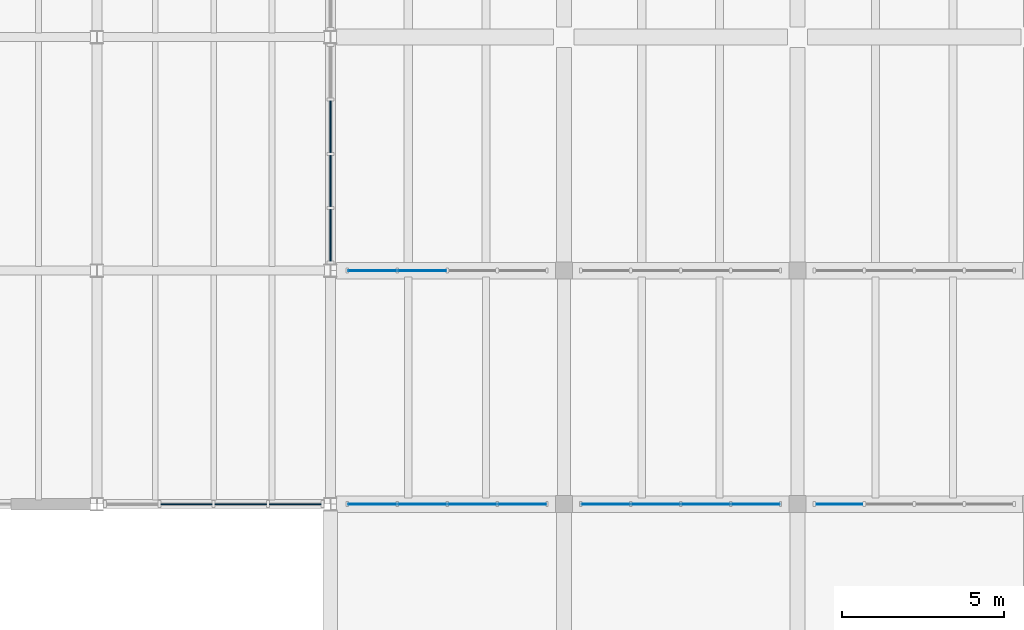
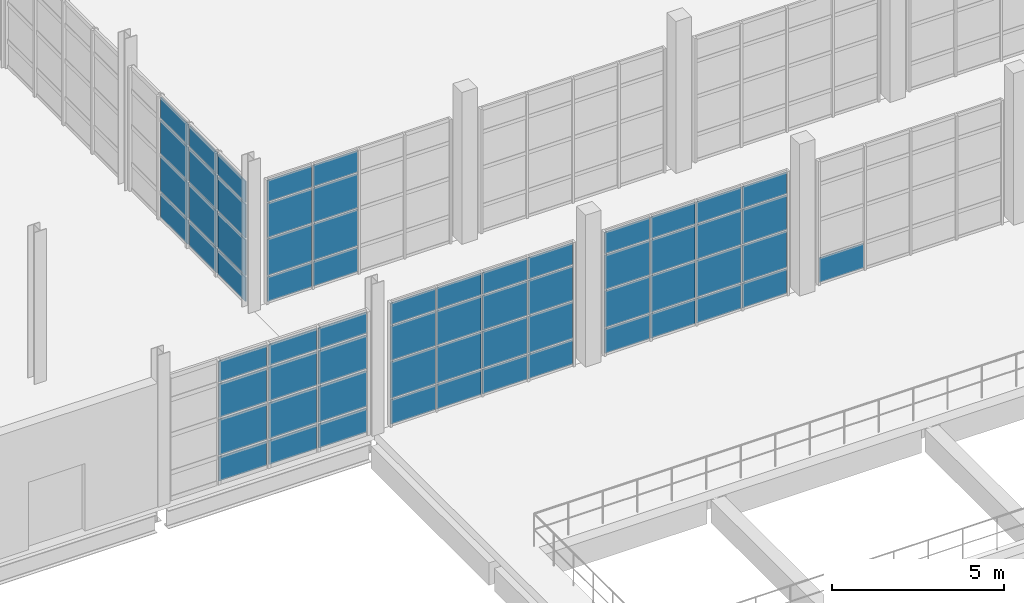
# One storey, part 52 of 79: 65 plates, 6 elements without a shape of their own.
"""IFC4 building model written with IfcOpenShell, lengths in metres."""

from ifc_helpers import new_model, si_unit, direction, frame, frame_2d, origin, place, context, subcontext, project, spatial, rectangle, extrude, material, layer, layer_set, type_object, element, aggregate, save


model = new_model("IFC4")

# Units and contexts
model_context = context("Model", 3, precision=1e-05, world=origin(), true_north=direction((0.0, 1.0)))
body_context = subcontext(model_context, "Body", "Model", "MODEL_VIEW")
ifc_project = project(units=[si_unit("LENGTHUNIT", "METRE"), si_unit("AREAUNIT", "SQUARE_METRE"), si_unit("VOLUMEUNIT", "CUBIC_METRE"), si_unit("PLANEANGLEUNIT", "RADIAN"), si_unit("MASSUNIT", "GRAM", prefix="KILO")], contexts=[model_context])

# Site, building, storey
site_placement = place(None, origin())
site = spatial("IfcSite", under=ifc_project, at=site_placement, CompositionType="ELEMENT")
building_placement = place(site_placement, origin())
building = spatial("IfcBuilding", under=site, at=building_placement, Name="Qiaolan Assembly House", CompositionType="ELEMENT")
storey_placement = place(building_placement, origin())
storey = spatial("IfcBuildingStorey", under=building, at=storey_placement, Name="L00", CompositionType="ELEMENT", Elevation=0.0)

# Curtain wall, plates
ifc_material_1 = material(Name="Anodised bronze aluminium", Category="aluminium")
curtain_wall_type_1 = type_object("IfcCurtainWallType", Name="CW-CLOISTER-420", PredefinedType="NOTDEFINED", material=ifc_material_1)
curtain_wall_1_placement = place(storey_placement, origin())
curtain_wall_1 = element("IfcCurtainWall", 1, at=curtain_wall_1_placement, inside=storey, type_object=curtain_wall_type_1, Name="CW-05 South Cloister outer arcade L00-1", PredefinedType="NOTDEFINED")
ifc_material_2 = material(Name="Low-E double insulating glass", Category="glass")
ifc_layer_1 = layer(ifc_material_2, 0.02587890625)
ifc_layer_set_1 = layer_set([ifc_layer_1], Name="Low-E double insulating glass")
plate_type_1 = type_object("IfcPlateType", Name="CW-CLOISTER-420-PNL", PredefinedType="CURTAIN_PANEL", material=ifc_layer_set_1)
plate_1_placement = place(storey_placement, frame((108.547119140625, 36.0, 0.052978515625), z_axis=(0.0, 0.0, 1.0), x_axis=(1.0, 0.0, 0.0)))
plate_1 = element("IfcPlate", 2, at=plate_1_placement, type_object=plate_type_1, Name="GL-06 glazing panel CW-CLS-OUT-L00-0-1", PredefinedType="CURTAIN_PANEL", context=body_context, shape_type="SweptSolid", body=[
    extrude(rectangle(XDim=1.48583984375, YDim=0.02587890625, at=frame_2d((0.742919921875, 0.0))), origin(), (0.0, 0.0, 1.0), 0.8740234375),
])
plate_2_placement = place(storey_placement, frame((108.547119140625, 36.0, 0.972900390625), z_axis=(0.0, 0.0, 1.0), x_axis=(1.0, 0.0, 0.0)))
plate_2 = element("IfcPlate", 3, at=plate_2_placement, type_object=plate_type_1, Name="GL-06 glazing panel CW-CLS-OUT-L00-0-2", PredefinedType="CURTAIN_PANEL", context=body_context, shape_type="SweptSolid", body=[
    extrude(rectangle(XDim=1.48583984375, YDim=0.02587890625, at=frame_2d((0.742919921875, 0.0))), origin(), (0.0, 0.0, 1.0), 1.302490234375),
])
plate_3_placement = place(storey_placement, frame((108.547119140625, 36.0, 2.3212890625), z_axis=(0.0, 0.0, 1.0), x_axis=(1.0, 0.0, 0.0)))
plate_3 = element("IfcPlate", 4, at=plate_3_placement, type_object=plate_type_1, Name="GL-06 glazing panel CW-CLS-OUT-L00-0-3", PredefinedType="CURTAIN_PANEL", context=body_context, shape_type="SweptSolid", body=[
    extrude(rectangle(XDim=1.48583984375, YDim=0.02587890625, at=frame_2d((0.742919921875, 0.0))), origin(), (0.0, 0.0, 1.0), 1.225830078125),
])
plate_4_placement = place(storey_placement, frame((108.547119140625, 36.0, 3.593017578125), z_axis=(0.0, 0.0, 1.0), x_axis=(1.0, 0.0, 0.0)))
plate_4 = element("IfcPlate", 5, at=plate_4_placement, type_object=plate_type_1, Name="GL-06 glazing panel CW-CLS-OUT-L00-0-4", PredefinedType="CURTAIN_PANEL", context=body_context, shape_type="SweptSolid", body=[
    extrude(rectangle(XDim=1.48583984375, YDim=0.02587890625, at=frame_2d((0.742919921875, 0.0))), origin(), (0.0, 0.0, 1.0), 0.77392578125),
])
plate_5_placement = place(storey_placement, frame((110.0869140625, 36.0, 0.052978515625), z_axis=(0.0, 0.0, 1.0), x_axis=(1.0, 0.0, 0.0)))
plate_5 = element("IfcPlate", 6, at=plate_5_placement, type_object=plate_type_1, Name="GL-06 glazing panel CW-CLS-OUT-L00-0-5", PredefinedType="CURTAIN_PANEL", context=body_context, shape_type="SweptSolid", body=[
    extrude(rectangle(XDim=1.486083984375, YDim=0.02587890625, at=frame_2d((0.7431640625, 0.0))), origin(), (0.0, 0.0, 1.0), 0.8740234375),
])
plate_6_placement = place(storey_placement, frame((110.0869140625, 36.0, 0.972900390625), z_axis=(0.0, 0.0, 1.0), x_axis=(1.0, 0.0, 0.0)))
plate_6 = element("IfcPlate", 7, at=plate_6_placement, type_object=plate_type_1, Name="GL-06 glazing panel CW-CLS-OUT-L00-0-6", PredefinedType="CURTAIN_PANEL", context=body_context, shape_type="SweptSolid", body=[
    extrude(rectangle(XDim=1.486083984375, YDim=0.02587890625, at=frame_2d((0.7431640625, 0.0))), origin(), (0.0, 0.0, 1.0), 1.302490234375),
])
plate_7_placement = place(storey_placement, frame((110.0869140625, 36.0, 2.3212890625), z_axis=(0.0, 0.0, 1.0), x_axis=(1.0, 0.0, 0.0)))
plate_7 = element("IfcPlate", 8, at=plate_7_placement, type_object=plate_type_1, Name="GL-06 glazing panel CW-CLS-OUT-L00-0-7", PredefinedType="CURTAIN_PANEL", context=body_context, shape_type="SweptSolid", body=[
    extrude(rectangle(XDim=1.486083984375, YDim=0.02587890625, at=frame_2d((0.7431640625, 0.0))), origin(), (0.0, 0.0, 1.0), 1.225830078125),
])
plate_8_placement = place(storey_placement, frame((110.0869140625, 36.0, 3.593017578125), z_axis=(0.0, 0.0, 1.0), x_axis=(1.0, 0.0, 0.0)))
plate_8 = element("IfcPlate", 9, at=plate_8_placement, type_object=plate_type_1, Name="GL-06 glazing panel CW-CLS-OUT-L00-0-8", PredefinedType="CURTAIN_PANEL", context=body_context, shape_type="SweptSolid", body=[
    extrude(rectangle(XDim=1.486083984375, YDim=0.02587890625, at=frame_2d((0.7431640625, 0.0))), origin(), (0.0, 0.0, 1.0), 0.77392578125),
])
plate_9_placement = place(storey_placement, frame((111.626953125, 36.0, 0.052978515625), z_axis=(0.0, 0.0, 1.0), x_axis=(1.0, 0.0, 0.0)))
plate_9 = element("IfcPlate", 10, at=plate_9_placement, type_object=plate_type_1, Name="GL-06 glazing panel CW-CLS-OUT-L00-0-9", PredefinedType="CURTAIN_PANEL", context=body_context, shape_type="SweptSolid", body=[
    extrude(rectangle(XDim=1.486083984375, YDim=0.02587890625, at=frame_2d((0.7431640625, 0.0))), origin(), (0.0, 0.0, 1.0), 0.8740234375),
])
plate_10_placement = place(storey_placement, frame((111.626953125, 36.0, 0.972900390625), z_axis=(0.0, 0.0, 1.0), x_axis=(1.0, 0.0, 0.0)))
plate_10 = element("IfcPlate", 11, at=plate_10_placement, type_object=plate_type_1, Name="GL-06 glazing panel CW-CLS-OUT-L00-0-10", PredefinedType="CURTAIN_PANEL", context=body_context, shape_type="SweptSolid", body=[
    extrude(rectangle(XDim=1.486083984375, YDim=0.02587890625, at=frame_2d((0.7431640625, 0.0))), origin(), (0.0, 0.0, 1.0), 1.302490234375),
])
plate_11_placement = place(storey_placement, frame((111.626953125, 36.0, 2.3212890625), z_axis=(0.0, 0.0, 1.0), x_axis=(1.0, 0.0, 0.0)))
plate_11 = element("IfcPlate", 12, at=plate_11_placement, type_object=plate_type_1, Name="GL-06 glazing panel CW-CLS-OUT-L00-0-11", PredefinedType="CURTAIN_PANEL", context=body_context, shape_type="SweptSolid", body=[
    extrude(rectangle(XDim=1.486083984375, YDim=0.02587890625, at=frame_2d((0.7431640625, 0.0))), origin(), (0.0, 0.0, 1.0), 1.225830078125),
])
plate_12_placement = place(storey_placement, frame((111.626953125, 36.0, 3.593017578125), z_axis=(0.0, 0.0, 1.0), x_axis=(1.0, 0.0, 0.0)))
plate_12 = element("IfcPlate", 13, at=plate_12_placement, type_object=plate_type_1, Name="GL-06 glazing panel CW-CLS-OUT-L00-0-12", PredefinedType="CURTAIN_PANEL", context=body_context, shape_type="SweptSolid", body=[
    extrude(rectangle(XDim=1.486083984375, YDim=0.02587890625, at=frame_2d((0.7431640625, 0.0))), origin(), (0.0, 0.0, 1.0), 0.77392578125),
])
plate_13_placement = place(storey_placement, frame((113.1669921875, 36.0, 0.052978515625), z_axis=(0.0, 0.0, 1.0), x_axis=(1.0, 0.0, 0.0)))
plate_13 = element("IfcPlate", 14, at=plate_13_placement, type_object=plate_type_1, Name="GL-06 glazing panel CW-CLS-OUT-L00-0-13", PredefinedType="CURTAIN_PANEL", context=body_context, shape_type="SweptSolid", body=[
    extrude(rectangle(XDim=1.486083984375, YDim=0.02587890625, at=frame_2d((0.7431640625, 0.0))), origin(), (0.0, 0.0, 1.0), 0.8740234375),
])
plate_14_placement = place(storey_placement, frame((113.1669921875, 36.0, 0.972900390625), z_axis=(0.0, 0.0, 1.0), x_axis=(1.0, 0.0, 0.0)))
plate_14 = element("IfcPlate", 15, at=plate_14_placement, type_object=plate_type_1, Name="GL-06 glazing panel CW-CLS-OUT-L00-0-14", PredefinedType="CURTAIN_PANEL", context=body_context, shape_type="SweptSolid", body=[
    extrude(rectangle(XDim=1.486083984375, YDim=0.02587890625, at=frame_2d((0.7431640625, 0.0))), origin(), (0.0, 0.0, 1.0), 1.302490234375),
])
plate_15_placement = place(storey_placement, frame((113.1669921875, 36.0, 2.3212890625), z_axis=(0.0, 0.0, 1.0), x_axis=(1.0, 0.0, 0.0)))
plate_15 = element("IfcPlate", 16, at=plate_15_placement, type_object=plate_type_1, Name="GL-06 glazing panel CW-CLS-OUT-L00-0-15", PredefinedType="CURTAIN_PANEL", context=body_context, shape_type="SweptSolid", body=[
    extrude(rectangle(XDim=1.486083984375, YDim=0.02587890625, at=frame_2d((0.7431640625, 0.0))), origin(), (0.0, 0.0, 1.0), 1.225830078125),
])
plate_16_placement = place(storey_placement, frame((113.1669921875, 36.0, 3.593017578125), z_axis=(0.0, 0.0, 1.0), x_axis=(1.0, 0.0, 0.0)))
plate_16 = element("IfcPlate", 17, at=plate_16_placement, type_object=plate_type_1, Name="GL-06 glazing panel CW-CLS-OUT-L00-0-16", PredefinedType="CURTAIN_PANEL", context=body_context, shape_type="SweptSolid", body=[
    extrude(rectangle(XDim=1.486083984375, YDim=0.02587890625, at=frame_2d((0.7431640625, 0.0))), origin(), (0.0, 0.0, 1.0), 0.77392578125),
])
aggregate(curtain_wall_1, [plate_1, plate_2, plate_3, plate_4, plate_5, plate_6, plate_7, plate_8, plate_9, plate_10, plate_11, plate_12, plate_13, plate_14, plate_15, plate_16])

curtain_wall_2_placement = place(storey_placement, origin())
curtain_wall_2 = element("IfcCurtainWall", 18, at=curtain_wall_2_placement, inside=storey, type_object=curtain_wall_type_1, Name="CW-05 South Cloister court arcade L00-1", PredefinedType="NOTDEFINED")
plate_17_placement = place(storey_placement, frame((111.572998046875, 43.199951171875, 0.052978515625), z_axis=(0.0, 0.0, 1.0), x_axis=(-1.0, 0.0, 0.0)))
plate_17 = element("IfcPlate", 19, at=plate_17_placement, type_object=plate_type_1, Name="GL-06 glazing panel CW-CLS-CRT-L00-0-9", PredefinedType="CURTAIN_PANEL", context=body_context, shape_type="SweptSolid", body=[
    extrude(rectangle(XDim=1.486083984375, YDim=0.02587890625, at=frame_2d((0.7431640625, 0.0))), origin(), (0.0, 0.0, 1.0), 0.8740234375),
])
plate_18_placement = place(storey_placement, frame((111.572998046875, 43.199951171875, 0.972900390625), z_axis=(0.0, 0.0, 1.0), x_axis=(-1.0, 0.0, 0.0)))
plate_18 = element("IfcPlate", 20, at=plate_18_placement, type_object=plate_type_1, Name="GL-06 glazing panel CW-CLS-CRT-L00-0-10", PredefinedType="CURTAIN_PANEL", context=body_context, shape_type="SweptSolid", body=[
    extrude(rectangle(XDim=1.486083984375, YDim=0.02587890625, at=frame_2d((0.7431640625, 0.0))), origin(), (0.0, 0.0, 1.0), 1.302490234375),
])
plate_19_placement = place(storey_placement, frame((111.572998046875, 43.199951171875, 2.3212890625), z_axis=(0.0, 0.0, 1.0), x_axis=(-1.0, 0.0, 0.0)))
plate_19 = element("IfcPlate", 21, at=plate_19_placement, type_object=plate_type_1, Name="GL-06 glazing panel CW-CLS-CRT-L00-0-11", PredefinedType="CURTAIN_PANEL", context=body_context, shape_type="SweptSolid", body=[
    extrude(rectangle(XDim=1.486083984375, YDim=0.02587890625, at=frame_2d((0.7431640625, 0.0))), origin(), (0.0, 0.0, 1.0), 1.225830078125),
])
plate_20_placement = place(storey_placement, frame((111.572998046875, 43.199951171875, 3.593017578125), z_axis=(0.0, 0.0, 1.0), x_axis=(-1.0, 0.0, 0.0)))
plate_20 = element("IfcPlate", 22, at=plate_20_placement, type_object=plate_type_1, Name="GL-06 glazing panel CW-CLS-CRT-L00-0-12", PredefinedType="CURTAIN_PANEL", context=body_context, shape_type="SweptSolid", body=[
    extrude(rectangle(XDim=1.486083984375, YDim=0.02587890625, at=frame_2d((0.7431640625, 0.0))), origin(), (0.0, 0.0, 1.0), 0.77392578125),
])
plate_21_placement = place(storey_placement, frame((110.032958984375, 43.199951171875, 0.052978515625), z_axis=(0.0, 0.0, 1.0), x_axis=(-1.0, 0.0, 0.0)))
plate_21 = element("IfcPlate", 23, at=plate_21_placement, type_object=plate_type_1, Name="GL-06 glazing panel CW-CLS-CRT-L00-0-13", PredefinedType="CURTAIN_PANEL", context=body_context, shape_type="SweptSolid", body=[
    extrude(rectangle(XDim=1.48583984375, YDim=0.02587890625, at=frame_2d((0.742919921875, 0.0))), origin(), (0.0, 0.0, 1.0), 0.8740234375),
])
plate_22_placement = place(storey_placement, frame((110.032958984375, 43.199951171875, 0.972900390625), z_axis=(0.0, 0.0, 1.0), x_axis=(-1.0, 0.0, 0.0)))
plate_22 = element("IfcPlate", 24, at=plate_22_placement, type_object=plate_type_1, Name="GL-06 glazing panel CW-CLS-CRT-L00-0-14", PredefinedType="CURTAIN_PANEL", context=body_context, shape_type="SweptSolid", body=[
    extrude(rectangle(XDim=1.48583984375, YDim=0.02587890625, at=frame_2d((0.742919921875, 0.0))), origin(), (0.0, 0.0, 1.0), 1.302490234375),
])
plate_23_placement = place(storey_placement, frame((110.032958984375, 43.199951171875, 2.3212890625), z_axis=(0.0, 0.0, 1.0), x_axis=(-1.0, 0.0, 0.0)))
plate_23 = element("IfcPlate", 25, at=plate_23_placement, type_object=plate_type_1, Name="GL-06 glazing panel CW-CLS-CRT-L00-0-15", PredefinedType="CURTAIN_PANEL", context=body_context, shape_type="SweptSolid", body=[
    extrude(rectangle(XDim=1.48583984375, YDim=0.02587890625, at=frame_2d((0.742919921875, 0.0))), origin(), (0.0, 0.0, 1.0), 1.225830078125),
])
plate_24_placement = place(storey_placement, frame((110.032958984375, 43.199951171875, 3.593017578125), z_axis=(0.0, 0.0, 1.0), x_axis=(-1.0, 0.0, 0.0)))
plate_24 = element("IfcPlate", 26, at=plate_24_placement, type_object=plate_type_1, Name="GL-06 glazing panel CW-CLS-CRT-L00-0-16", PredefinedType="CURTAIN_PANEL", context=body_context, shape_type="SweptSolid", body=[
    extrude(rectangle(XDim=1.48583984375, YDim=0.02587890625, at=frame_2d((0.742919921875, 0.0))), origin(), (0.0, 0.0, 1.0), 0.77392578125),
])
aggregate(curtain_wall_2, [plate_17, plate_18, plate_19, plate_20, plate_21, plate_22, plate_23, plate_24])

curtain_wall_3_placement = place(storey_placement, origin())
curtain_wall_3 = element("IfcCurtainWall", 27, at=curtain_wall_3_placement, inside=storey, type_object=curtain_wall_type_1, Name="CW-05 South Cloister outer arcade L00-2", PredefinedType="NOTDEFINED")
plate_25_placement = place(storey_placement, frame((115.7470703125, 36.0, 0.052978515625), z_axis=(0.0, 0.0, 1.0), x_axis=(1.0, 0.0, 0.0)))
plate_25 = element("IfcPlate", 28, at=plate_25_placement, type_object=plate_type_1, Name="GL-06 glazing panel CW-CLS-OUT-L00-1-1", PredefinedType="CURTAIN_PANEL", context=body_context, shape_type="SweptSolid", body=[
    extrude(rectangle(XDim=1.48583984375, YDim=0.02587890625, at=frame_2d((0.742919921875, 0.0))), origin(), (0.0, 0.0, 1.0), 0.8740234375),
])
plate_26_placement = place(storey_placement, frame((115.7470703125, 36.0, 0.972900390625), z_axis=(0.0, 0.0, 1.0), x_axis=(1.0, 0.0, 0.0)))
plate_26 = element("IfcPlate", 29, at=plate_26_placement, type_object=plate_type_1, Name="GL-06 glazing panel CW-CLS-OUT-L00-1-2", PredefinedType="CURTAIN_PANEL", context=body_context, shape_type="SweptSolid", body=[
    extrude(rectangle(XDim=1.48583984375, YDim=0.02587890625, at=frame_2d((0.742919921875, 0.0))), origin(), (0.0, 0.0, 1.0), 1.302490234375),
])
plate_27_placement = place(storey_placement, frame((115.7470703125, 36.0, 2.3212890625), z_axis=(0.0, 0.0, 1.0), x_axis=(1.0, 0.0, 0.0)))
plate_27 = element("IfcPlate", 30, at=plate_27_placement, type_object=plate_type_1, Name="GL-06 glazing panel CW-CLS-OUT-L00-1-3", PredefinedType="CURTAIN_PANEL", context=body_context, shape_type="SweptSolid", body=[
    extrude(rectangle(XDim=1.48583984375, YDim=0.02587890625, at=frame_2d((0.742919921875, 0.0))), origin(), (0.0, 0.0, 1.0), 1.225830078125),
])
plate_28_placement = place(storey_placement, frame((115.7470703125, 36.0, 3.593017578125), z_axis=(0.0, 0.0, 1.0), x_axis=(1.0, 0.0, 0.0)))
plate_28 = element("IfcPlate", 31, at=plate_28_placement, type_object=plate_type_1, Name="GL-06 glazing panel CW-CLS-OUT-L00-1-4", PredefinedType="CURTAIN_PANEL", context=body_context, shape_type="SweptSolid", body=[
    extrude(rectangle(XDim=1.48583984375, YDim=0.02587890625, at=frame_2d((0.742919921875, 0.0))), origin(), (0.0, 0.0, 1.0), 0.77392578125),
])
plate_29_placement = place(storey_placement, frame((117.287109375, 36.0, 0.052978515625), z_axis=(0.0, 0.0, 1.0), x_axis=(1.0, 0.0, 0.0)))
plate_29 = element("IfcPlate", 32, at=plate_29_placement, type_object=plate_type_1, Name="GL-06 glazing panel CW-CLS-OUT-L00-1-5", PredefinedType="CURTAIN_PANEL", context=body_context, shape_type="SweptSolid", body=[
    extrude(rectangle(XDim=1.48583984375, YDim=0.02587890625, at=frame_2d((0.742919921875, 0.0))), origin(), (0.0, 0.0, 1.0), 0.8740234375),
])
plate_30_placement = place(storey_placement, frame((117.287109375, 36.0, 0.972900390625), z_axis=(0.0, 0.0, 1.0), x_axis=(1.0, 0.0, 0.0)))
plate_30 = element("IfcPlate", 33, at=plate_30_placement, type_object=plate_type_1, Name="GL-06 glazing panel CW-CLS-OUT-L00-1-6", PredefinedType="CURTAIN_PANEL", context=body_context, shape_type="SweptSolid", body=[
    extrude(rectangle(XDim=1.48583984375, YDim=0.02587890625, at=frame_2d((0.742919921875, 0.0))), origin(), (0.0, 0.0, 1.0), 1.302490234375),
])
plate_31_placement = place(storey_placement, frame((117.287109375, 36.0, 2.3212890625), z_axis=(0.0, 0.0, 1.0), x_axis=(1.0, 0.0, 0.0)))
plate_31 = element("IfcPlate", 34, at=plate_31_placement, type_object=plate_type_1, Name="GL-06 glazing panel CW-CLS-OUT-L00-1-7", PredefinedType="CURTAIN_PANEL", context=body_context, shape_type="SweptSolid", body=[
    extrude(rectangle(XDim=1.48583984375, YDim=0.02587890625, at=frame_2d((0.742919921875, 0.0))), origin(), (0.0, 0.0, 1.0), 1.225830078125),
])
plate_32_placement = place(storey_placement, frame((117.287109375, 36.0, 3.593017578125), z_axis=(0.0, 0.0, 1.0), x_axis=(1.0, 0.0, 0.0)))
plate_32 = element("IfcPlate", 35, at=plate_32_placement, type_object=plate_type_1, Name="GL-06 glazing panel CW-CLS-OUT-L00-1-8", PredefinedType="CURTAIN_PANEL", context=body_context, shape_type="SweptSolid", body=[
    extrude(rectangle(XDim=1.48583984375, YDim=0.02587890625, at=frame_2d((0.742919921875, 0.0))), origin(), (0.0, 0.0, 1.0), 0.77392578125),
])
plate_33_placement = place(storey_placement, frame((118.826904296875, 36.0, 0.052978515625), z_axis=(0.0, 0.0, 1.0), x_axis=(1.0, 0.0, 0.0)))
plate_33 = element("IfcPlate", 36, at=plate_33_placement, type_object=plate_type_1, Name="GL-06 glazing panel CW-CLS-OUT-L00-1-9", PredefinedType="CURTAIN_PANEL", context=body_context, shape_type="SweptSolid", body=[
    extrude(rectangle(XDim=1.486083984375, YDim=0.02587890625, at=frame_2d((0.7431640625, 0.0))), origin(), (0.0, 0.0, 1.0), 0.8740234375),
])
plate_34_placement = place(storey_placement, frame((118.826904296875, 36.0, 0.972900390625), z_axis=(0.0, 0.0, 1.0), x_axis=(1.0, 0.0, 0.0)))
plate_34 = element("IfcPlate", 37, at=plate_34_placement, type_object=plate_type_1, Name="GL-06 glazing panel CW-CLS-OUT-L00-1-10", PredefinedType="CURTAIN_PANEL", context=body_context, shape_type="SweptSolid", body=[
    extrude(rectangle(XDim=1.486083984375, YDim=0.02587890625, at=frame_2d((0.7431640625, 0.0))), origin(), (0.0, 0.0, 1.0), 1.302490234375),
])
plate_35_placement = place(storey_placement, frame((118.826904296875, 36.0, 2.3212890625), z_axis=(0.0, 0.0, 1.0), x_axis=(1.0, 0.0, 0.0)))
plate_35 = element("IfcPlate", 38, at=plate_35_placement, type_object=plate_type_1, Name="GL-06 glazing panel CW-CLS-OUT-L00-1-11", PredefinedType="CURTAIN_PANEL", context=body_context, shape_type="SweptSolid", body=[
    extrude(rectangle(XDim=1.486083984375, YDim=0.02587890625, at=frame_2d((0.7431640625, 0.0))), origin(), (0.0, 0.0, 1.0), 1.225830078125),
])
plate_36_placement = place(storey_placement, frame((118.826904296875, 36.0, 3.593017578125), z_axis=(0.0, 0.0, 1.0), x_axis=(1.0, 0.0, 0.0)))
plate_36 = element("IfcPlate", 39, at=plate_36_placement, type_object=plate_type_1, Name="GL-06 glazing panel CW-CLS-OUT-L00-1-12", PredefinedType="CURTAIN_PANEL", context=body_context, shape_type="SweptSolid", body=[
    extrude(rectangle(XDim=1.486083984375, YDim=0.02587890625, at=frame_2d((0.7431640625, 0.0))), origin(), (0.0, 0.0, 1.0), 0.77392578125),
])
plate_37_placement = place(storey_placement, frame((120.366943359375, 36.0, 0.052978515625), z_axis=(0.0, 0.0, 1.0), x_axis=(1.0, 0.0, 0.0)))
plate_37 = element("IfcPlate", 40, at=plate_37_placement, type_object=plate_type_1, Name="GL-06 glazing panel CW-CLS-OUT-L00-1-13", PredefinedType="CURTAIN_PANEL", context=body_context, shape_type="SweptSolid", body=[
    extrude(rectangle(XDim=1.486083984375, YDim=0.02587890625, at=frame_2d((0.7431640625, 0.0))), origin(), (0.0, 0.0, 1.0), 0.8740234375),
])
plate_38_placement = place(storey_placement, frame((120.366943359375, 36.0, 0.972900390625), z_axis=(0.0, 0.0, 1.0), x_axis=(1.0, 0.0, 0.0)))
plate_38 = element("IfcPlate", 41, at=plate_38_placement, type_object=plate_type_1, Name="GL-06 glazing panel CW-CLS-OUT-L00-1-14", PredefinedType="CURTAIN_PANEL", context=body_context, shape_type="SweptSolid", body=[
    extrude(rectangle(XDim=1.486083984375, YDim=0.02587890625, at=frame_2d((0.7431640625, 0.0))), origin(), (0.0, 0.0, 1.0), 1.302490234375),
])
plate_39_placement = place(storey_placement, frame((120.366943359375, 36.0, 2.3212890625), z_axis=(0.0, 0.0, 1.0), x_axis=(1.0, 0.0, 0.0)))
plate_39 = element("IfcPlate", 42, at=plate_39_placement, type_object=plate_type_1, Name="GL-06 glazing panel CW-CLS-OUT-L00-1-15", PredefinedType="CURTAIN_PANEL", context=body_context, shape_type="SweptSolid", body=[
    extrude(rectangle(XDim=1.486083984375, YDim=0.02587890625, at=frame_2d((0.7431640625, 0.0))), origin(), (0.0, 0.0, 1.0), 1.225830078125),
])
plate_40_placement = place(storey_placement, frame((120.366943359375, 36.0, 3.593017578125), z_axis=(0.0, 0.0, 1.0), x_axis=(1.0, 0.0, 0.0)))
plate_40 = element("IfcPlate", 43, at=plate_40_placement, type_object=plate_type_1, Name="GL-06 glazing panel CW-CLS-OUT-L00-1-16", PredefinedType="CURTAIN_PANEL", context=body_context, shape_type="SweptSolid", body=[
    extrude(rectangle(XDim=1.486083984375, YDim=0.02587890625, at=frame_2d((0.7431640625, 0.0))), origin(), (0.0, 0.0, 1.0), 0.77392578125),
])
aggregate(curtain_wall_3, [plate_25, plate_26, plate_27, plate_28, plate_29, plate_30, plate_31, plate_32, plate_33, plate_34, plate_35, plate_36, plate_37, plate_38, plate_39, plate_40])

# Curtain wall, plate
curtain_wall_4_placement = place(storey_placement, origin())
curtain_wall_4 = element("IfcCurtainWall", 44, at=curtain_wall_4_placement, inside=storey, type_object=curtain_wall_type_1, Name="CW-05 South Cloister outer arcade L00-3", PredefinedType="NOTDEFINED")
plate_41_placement = place(storey_placement, frame((122.947021484375, 36.0, 0.052978515625), z_axis=(0.0, 0.0, 1.0), x_axis=(1.0, 0.0, 0.0)))
plate_41 = element("IfcPlate", 45, at=plate_41_placement, type_object=plate_type_1, Name="GL-06 glazing panel CW-CLS-OUT-L00-2-1", PredefinedType="CURTAIN_PANEL", context=body_context, shape_type="SweptSolid", body=[
    extrude(rectangle(XDim=1.486083984375, YDim=0.02587890625, at=frame_2d((0.7431640625, 0.0))), origin(), (0.0, 0.0, 1.0), 0.8740234375),
])
aggregate(curtain_wall_4, [plate_41])

# Curtain wall, plates
curtain_wall_type_2 = type_object("IfcCurtainWallType", Name="CW-HALL-MAIN-540", PredefinedType="NOTDEFINED", material=ifc_material_1)
curtain_wall_5_placement = place(storey_placement, origin())
curtain_wall_5 = element("IfcCurtainWall", 46, at=curtain_wall_5_placement, inside=storey, type_object=curtain_wall_type_2, Name="CW-01 Hall South plaza curtain wall L00-11", PredefinedType="NOTDEFINED")
ifc_layer_2 = layer(ifc_material_2, 0.035888671875)
ifc_layer_set_2 = layer_set([ifc_layer_2], Name="Low-E double insulating glass")
plate_type_2 = type_object("IfcPlateType", Name="CW-HALL-MAIN-540-PNL", PredefinedType="CURTAIN_PANEL", material=ifc_layer_set_2)
plate_42_placement = place(storey_placement, frame((102.762939453125, 36.0, 0.06298828125), z_axis=(0.0, 0.0, 1.0), x_axis=(1.0, 0.0, 0.0)))
plate_42 = element("IfcPlate", 47, at=plate_42_placement, type_object=plate_type_2, Name="GL-01 glazing panel CW-HALL-S-L00-10-5", PredefinedType="CURTAIN_PANEL", context=body_context, shape_type="SweptSolid", body=[
    extrude(rectangle(XDim=1.59912109375, YDim=0.035888671875, at=frame_2d((0.799560546875, 0.0))), origin(), (0.0, 0.0, 1.0), 0.85400390625),
])
plate_43_placement = place(storey_placement, frame((102.762939453125, 36.0, 0.98291015625), z_axis=(0.0, 0.0, 1.0), x_axis=(1.0, 0.0, 0.0)))
plate_43 = element("IfcPlate", 48, at=plate_43_placement, type_object=plate_type_2, Name="GL-01 glazing panel CW-HALL-S-L00-10-6", PredefinedType="CURTAIN_PANEL", context=body_context, shape_type="SweptSolid", body=[
    extrude(rectangle(XDim=1.59912109375, YDim=0.035888671875, at=frame_2d((0.799560546875, 0.0))), origin(), (0.0, 0.0, 1.0), 1.27197265625),
])
plate_44_placement = place(storey_placement, frame((102.762939453125, 36.0, 2.321044921875), z_axis=(0.0, 0.0, 1.0), x_axis=(1.0, 0.0, 0.0)))
plate_44 = element("IfcPlate", 49, at=plate_44_placement, type_object=plate_type_2, Name="GL-01 glazing panel CW-HALL-S-L00-10-7", PredefinedType="CURTAIN_PANEL", context=body_context, shape_type="SweptSolid", body=[
    extrude(rectangle(XDim=1.59912109375, YDim=0.035888671875, at=frame_2d((0.799560546875, 0.0))), origin(), (0.0, 0.0, 1.0), 1.196044921875),
])
plate_45_placement = place(storey_placement, frame((102.762939453125, 36.0, 3.5830078125), z_axis=(0.0, 0.0, 1.0), x_axis=(1.0, 0.0, 0.0)))
plate_45 = element("IfcPlate", 50, at=plate_45_placement, type_object=plate_type_2, Name="GL-01 glazing panel CW-HALL-S-L00-10-8", PredefinedType="CURTAIN_PANEL", context=body_context, shape_type="SweptSolid", body=[
    extrude(rectangle(XDim=1.59912109375, YDim=0.035888671875, at=frame_2d((0.799560546875, 0.0))), origin(), (0.0, 0.0, 1.0), 0.75390625),
])
plate_46_placement = place(storey_placement, frame((104.43798828125, 36.0, 0.06298828125), z_axis=(0.0, 0.0, 1.0), x_axis=(1.0, 0.0, 0.0)))
plate_46 = element("IfcPlate", 51, at=plate_46_placement, type_object=plate_type_2, Name="GL-01 glazing panel CW-HALL-S-L00-10-9", PredefinedType="CURTAIN_PANEL", context=body_context, shape_type="SweptSolid", body=[
    extrude(rectangle(XDim=1.59912109375, YDim=0.035888671875, at=frame_2d((0.799560546875, 0.0))), origin(), (0.0, 0.0, 1.0), 0.85400390625),
])
plate_47_placement = place(storey_placement, frame((104.43798828125, 36.0, 0.98291015625), z_axis=(0.0, 0.0, 1.0), x_axis=(1.0, 0.0, 0.0)))
plate_47 = element("IfcPlate", 52, at=plate_47_placement, type_object=plate_type_2, Name="GL-01 glazing panel CW-HALL-S-L00-10-10", PredefinedType="CURTAIN_PANEL", context=body_context, shape_type="SweptSolid", body=[
    extrude(rectangle(XDim=1.59912109375, YDim=0.035888671875, at=frame_2d((0.799560546875, 0.0))), origin(), (0.0, 0.0, 1.0), 1.27197265625),
])
plate_48_placement = place(storey_placement, frame((104.43798828125, 36.0, 2.321044921875), z_axis=(0.0, 0.0, 1.0), x_axis=(1.0, 0.0, 0.0)))
plate_48 = element("IfcPlate", 53, at=plate_48_placement, type_object=plate_type_2, Name="GL-01 glazing panel CW-HALL-S-L00-10-11", PredefinedType="CURTAIN_PANEL", context=body_context, shape_type="SweptSolid", body=[
    extrude(rectangle(XDim=1.59912109375, YDim=0.035888671875, at=frame_2d((0.799560546875, 0.0))), origin(), (0.0, 0.0, 1.0), 1.196044921875),
])
plate_49_placement = place(storey_placement, frame((104.43798828125, 36.0, 3.5830078125), z_axis=(0.0, 0.0, 1.0), x_axis=(1.0, 0.0, 0.0)))
plate_49 = element("IfcPlate", 54, at=plate_49_placement, type_object=plate_type_2, Name="GL-01 glazing panel CW-HALL-S-L00-10-12", PredefinedType="CURTAIN_PANEL", context=body_context, shape_type="SweptSolid", body=[
    extrude(rectangle(XDim=1.59912109375, YDim=0.035888671875, at=frame_2d((0.799560546875, 0.0))), origin(), (0.0, 0.0, 1.0), 0.75390625),
])
plate_50_placement = place(storey_placement, frame((106.113037109375, 36.0, 0.06298828125), z_axis=(0.0, 0.0, 1.0), x_axis=(1.0, 0.0, 0.0)))
plate_50 = element("IfcPlate", 55, at=plate_50_placement, type_object=plate_type_2, Name="GL-01 glazing panel CW-HALL-S-L00-10-13", PredefinedType="CURTAIN_PANEL", context=body_context, shape_type="SweptSolid", body=[
    extrude(rectangle(XDim=1.598876953125, YDim=0.035888671875, at=frame_2d((0.79931640625, 0.0))), origin(), (0.0, 0.0, 1.0), 0.85400390625),
])
plate_51_placement = place(storey_placement, frame((106.113037109375, 36.0, 0.98291015625), z_axis=(0.0, 0.0, 1.0), x_axis=(1.0, 0.0, 0.0)))
plate_51 = element("IfcPlate", 56, at=plate_51_placement, type_object=plate_type_2, Name="GL-01 glazing panel CW-HALL-S-L00-10-14", PredefinedType="CURTAIN_PANEL", context=body_context, shape_type="SweptSolid", body=[
    extrude(rectangle(XDim=1.598876953125, YDim=0.035888671875, at=frame_2d((0.79931640625, 0.0))), origin(), (0.0, 0.0, 1.0), 1.27197265625),
])
plate_52_placement = place(storey_placement, frame((106.113037109375, 36.0, 2.321044921875), z_axis=(0.0, 0.0, 1.0), x_axis=(1.0, 0.0, 0.0)))
plate_52 = element("IfcPlate", 57, at=plate_52_placement, type_object=plate_type_2, Name="GL-01 glazing panel CW-HALL-S-L00-10-15", PredefinedType="CURTAIN_PANEL", context=body_context, shape_type="SweptSolid", body=[
    extrude(rectangle(XDim=1.598876953125, YDim=0.035888671875, at=frame_2d((0.79931640625, 0.0))), origin(), (0.0, 0.0, 1.0), 1.196044921875),
])
plate_53_placement = place(storey_placement, frame((106.113037109375, 36.0, 3.5830078125), z_axis=(0.0, 0.0, 1.0), x_axis=(1.0, 0.0, 0.0)))
plate_53 = element("IfcPlate", 58, at=plate_53_placement, type_object=plate_type_2, Name="GL-01 glazing panel CW-HALL-S-L00-10-16", PredefinedType="CURTAIN_PANEL", context=body_context, shape_type="SweptSolid", body=[
    extrude(rectangle(XDim=1.598876953125, YDim=0.035888671875, at=frame_2d((0.79931640625, 0.0))), origin(), (0.0, 0.0, 1.0), 0.75390625),
])
aggregate(curtain_wall_5, [plate_42, plate_43, plate_44, plate_45, plate_46, plate_47, plate_48, plate_49, plate_50, plate_51, plate_52, plate_53])

curtain_wall_6_placement = place(storey_placement, origin())
curtain_wall_6 = element("IfcCurtainWall", 59, at=curtain_wall_6_placement, inside=storey, type_object=curtain_wall_type_2, Name="CW-01 Hall East court curtain wall L00-1", PredefinedType="NOTDEFINED")
plate_54_placement = place(storey_placement, frame((108.0, 48.43701171875, 0.06298828125), z_axis=(0.0, 0.0, 1.0), x_axis=(0.0, -1.0, 0.0)))
plate_54 = element("IfcPlate", 60, at=plate_54_placement, type_object=plate_type_2, Name="GL-01 glazing panel CW-HALL-E-L00-00-5", PredefinedType="CURTAIN_PANEL", context=body_context, shape_type="SweptSolid", body=[
    extrude(rectangle(XDim=1.59912109375, YDim=0.035888671875, at=frame_2d((0.799560546875, 0.0))), origin(), (0.0, 0.0, 1.0), 0.85400390625),
])
plate_55_placement = place(storey_placement, frame((108.0, 48.43701171875, 0.98291015625), z_axis=(0.0, 0.0, 1.0), x_axis=(0.0, -1.0, 0.0)))
plate_55 = element("IfcPlate", 61, at=plate_55_placement, type_object=plate_type_2, Name="GL-01 glazing panel CW-HALL-E-L00-00-6", PredefinedType="CURTAIN_PANEL", context=body_context, shape_type="SweptSolid", body=[
    extrude(rectangle(XDim=1.59912109375, YDim=0.035888671875, at=frame_2d((0.799560546875, 0.0))), origin(), (0.0, 0.0, 1.0), 1.27197265625),
])
plate_56_placement = place(storey_placement, frame((108.0, 48.43701171875, 2.321044921875), z_axis=(0.0, 0.0, 1.0), x_axis=(0.0, -1.0, 0.0)))
plate_56 = element("IfcPlate", 62, at=plate_56_placement, type_object=plate_type_2, Name="GL-01 glazing panel CW-HALL-E-L00-00-7", PredefinedType="CURTAIN_PANEL", context=body_context, shape_type="SweptSolid", body=[
    extrude(rectangle(XDim=1.59912109375, YDim=0.035888671875, at=frame_2d((0.799560546875, 0.0))), origin(), (0.0, 0.0, 1.0), 1.196044921875),
])
plate_57_placement = place(storey_placement, frame((108.0, 48.43701171875, 3.5830078125), z_axis=(0.0, 0.0, 1.0), x_axis=(0.0, -1.0, 0.0)))
plate_57 = element("IfcPlate", 63, at=plate_57_placement, type_object=plate_type_2, Name="GL-01 glazing panel CW-HALL-E-L00-00-8", PredefinedType="CURTAIN_PANEL", context=body_context, shape_type="SweptSolid", body=[
    extrude(rectangle(XDim=1.59912109375, YDim=0.035888671875, at=frame_2d((0.799560546875, 0.0))), origin(), (0.0, 0.0, 1.0), 0.75390625),
])
plate_58_placement = place(storey_placement, frame((108.0, 46.761962890625, 0.06298828125), z_axis=(0.0, 0.0, 1.0), x_axis=(0.0, -1.0, 0.0)))
plate_58 = element("IfcPlate", 64, at=plate_58_placement, type_object=plate_type_2, Name="GL-01 glazing panel CW-HALL-E-L00-00-9", PredefinedType="CURTAIN_PANEL", context=body_context, shape_type="SweptSolid", body=[
    extrude(rectangle(XDim=1.598876953125, YDim=0.035888671875, at=frame_2d((0.79931640625, 0.0))), origin(), (0.0, 0.0, 1.0), 0.85400390625),
])
plate_59_placement = place(storey_placement, frame((108.0, 46.761962890625, 0.98291015625), z_axis=(0.0, 0.0, 1.0), x_axis=(0.0, -1.0, 0.0)))
plate_59 = element("IfcPlate", 65, at=plate_59_placement, type_object=plate_type_2, Name="GL-01 glazing panel CW-HALL-E-L00-00-10", PredefinedType="CURTAIN_PANEL", context=body_context, shape_type="SweptSolid", body=[
    extrude(rectangle(XDim=1.598876953125, YDim=0.035888671875, at=frame_2d((0.79931640625, 0.0))), origin(), (0.0, 0.0, 1.0), 1.27197265625),
])
plate_60_placement = place(storey_placement, frame((108.0, 46.761962890625, 2.321044921875), z_axis=(0.0, 0.0, 1.0), x_axis=(0.0, -1.0, 0.0)))
plate_60 = element("IfcPlate", 66, at=plate_60_placement, type_object=plate_type_2, Name="GL-01 glazing panel CW-HALL-E-L00-00-11", PredefinedType="CURTAIN_PANEL", context=body_context, shape_type="SweptSolid", body=[
    extrude(rectangle(XDim=1.598876953125, YDim=0.035888671875, at=frame_2d((0.79931640625, 0.0))), origin(), (0.0, 0.0, 1.0), 1.196044921875),
])
plate_61_placement = place(storey_placement, frame((108.0, 46.761962890625, 3.5830078125), z_axis=(0.0, 0.0, 1.0), x_axis=(0.0, -1.0, 0.0)))
plate_61 = element("IfcPlate", 67, at=plate_61_placement, type_object=plate_type_2, Name="GL-01 glazing panel CW-HALL-E-L00-00-12", PredefinedType="CURTAIN_PANEL", context=body_context, shape_type="SweptSolid", body=[
    extrude(rectangle(XDim=1.598876953125, YDim=0.035888671875, at=frame_2d((0.79931640625, 0.0))), origin(), (0.0, 0.0, 1.0), 0.75390625),
])
plate_62_placement = place(storey_placement, frame((108.0, 45.0869140625, 0.06298828125), z_axis=(0.0, 0.0, 1.0), x_axis=(0.0, -1.0, 0.0)))
plate_62 = element("IfcPlate", 68, at=plate_62_placement, type_object=plate_type_2, Name="GL-01 glazing panel CW-HALL-E-L00-00-13", PredefinedType="CURTAIN_PANEL", context=body_context, shape_type="SweptSolid", body=[
    extrude(rectangle(XDim=1.598876953125, YDim=0.035888671875, at=frame_2d((0.79931640625, 0.0))), origin(), (0.0, 0.0, 1.0), 0.85400390625),
])
plate_63_placement = place(storey_placement, frame((108.0, 45.0869140625, 0.98291015625), z_axis=(0.0, 0.0, 1.0), x_axis=(0.0, -1.0, 0.0)))
plate_63 = element("IfcPlate", 69, at=plate_63_placement, type_object=plate_type_2, Name="GL-01 glazing panel CW-HALL-E-L00-00-14", PredefinedType="CURTAIN_PANEL", context=body_context, shape_type="SweptSolid", body=[
    extrude(rectangle(XDim=1.598876953125, YDim=0.035888671875, at=frame_2d((0.79931640625, 0.0))), origin(), (0.0, 0.0, 1.0), 1.27197265625),
])
plate_64_placement = place(storey_placement, frame((108.0, 45.0869140625, 2.321044921875), z_axis=(0.0, 0.0, 1.0), x_axis=(0.0, -1.0, 0.0)))
plate_64 = element("IfcPlate", 70, at=plate_64_placement, type_object=plate_type_2, Name="GL-01 glazing panel CW-HALL-E-L00-00-15", PredefinedType="CURTAIN_PANEL", context=body_context, shape_type="SweptSolid", body=[
    extrude(rectangle(XDim=1.598876953125, YDim=0.035888671875, at=frame_2d((0.79931640625, 0.0))), origin(), (0.0, 0.0, 1.0), 1.196044921875),
])
plate_65_placement = place(storey_placement, frame((108.0, 45.0869140625, 3.5830078125), z_axis=(0.0, 0.0, 1.0), x_axis=(0.0, -1.0, 0.0)))
plate_65 = element("IfcPlate", 71, at=plate_65_placement, type_object=plate_type_2, Name="GL-01 glazing panel CW-HALL-E-L00-00-16", PredefinedType="CURTAIN_PANEL", context=body_context, shape_type="SweptSolid", body=[
    extrude(rectangle(XDim=1.598876953125, YDim=0.035888671875, at=frame_2d((0.79931640625, 0.0))), origin(), (0.0, 0.0, 1.0), 0.75390625),
])
aggregate(curtain_wall_6, [plate_54, plate_55, plate_56, plate_57, plate_58, plate_59, plate_60, plate_61, plate_62, plate_63, plate_64, plate_65])

save(model, "model.ifc")
